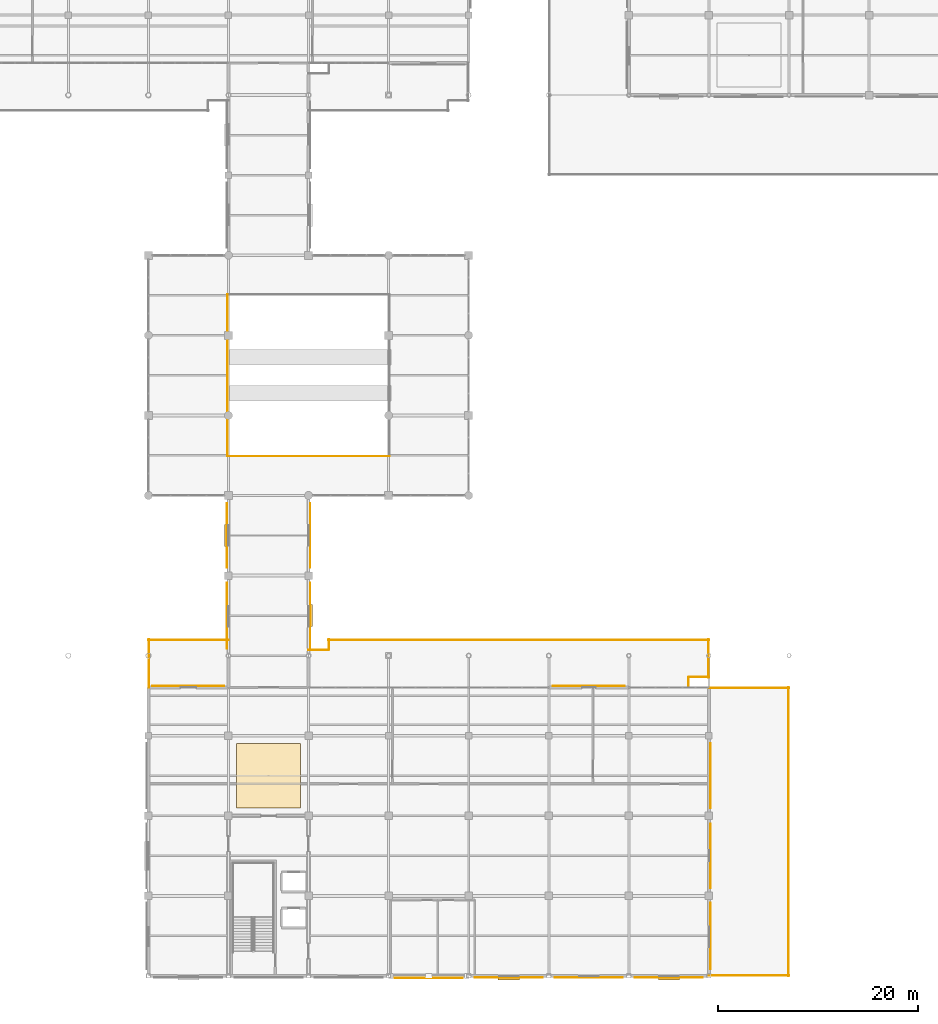
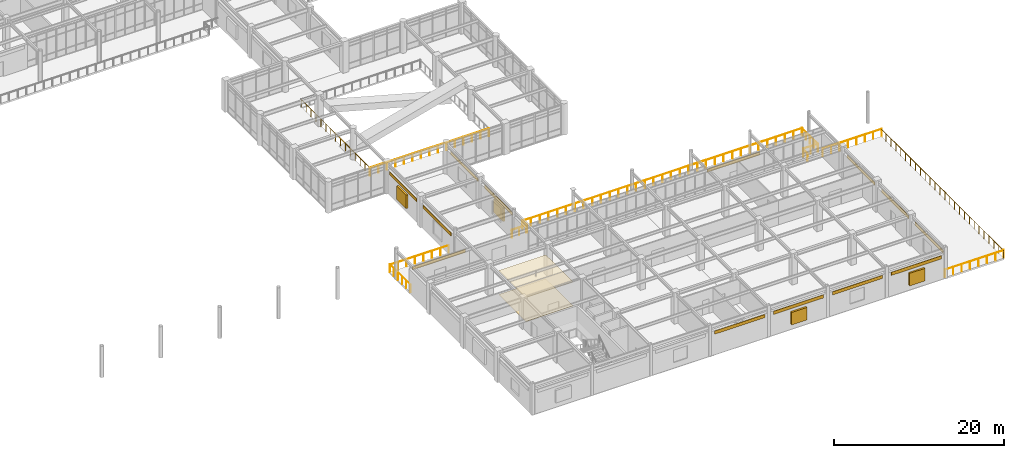
# One storey, part 67 of 75: 15 coverings, 13 railings, 4 shading devices.
"""IFC4 building model written with IfcOpenShell, lengths in metres."""

from ifc_helpers import new_model, si_unit, direction, frame, origin, origin_2d, place, context, subcontext, project, spatial, polyline, rectangle, circle, outline, extrude, material, layer, layer_set, type_object, element, save


model = new_model("IFC4")

# Units and contexts
model_context = context("Model", 3, precision=1e-05, world=origin(), true_north=direction((0.0, 1.0)))
body_context = subcontext(model_context, "Body", "Model", "MODEL_VIEW")
ifc_project = project(units=[si_unit("LENGTHUNIT", "METRE"), si_unit("AREAUNIT", "SQUARE_METRE"), si_unit("VOLUMEUNIT", "CUBIC_METRE"), si_unit("PLANEANGLEUNIT", "RADIAN"), si_unit("MASSUNIT", "GRAM", prefix="KILO")], contexts=[model_context])

# Site, building, storey
site_placement = place(None, origin())
site = spatial("IfcSite", under=ifc_project, at=site_placement, CompositionType="ELEMENT")
building_placement = place(site_placement, origin())
building = spatial("IfcBuilding", under=site, at=building_placement, Name="Solmirada Galleria", CompositionType="ELEMENT")
storey_placement = place(building_placement, frame((0.0, 0.0, 19.39990234375)))
storey = spatial("IfcBuildingStorey", under=building, at=storey_placement, Name="L04", CompositionType="ELEMENT", Elevation=19.39990234375)

# Coverings
ifc_material_1 = material(Name="Perforated acoustic mineral-fibre ceiling")
ifc_layer_1 = layer(ifc_material_1, 0.02490234375)
ifc_layer_set_1 = layer_set([ifc_layer_1], Name="Perforated acoustic mineral-fibre ceiling")
covering_type_1 = type_object("IfcCoveringType", Name="COV-CEIL-ACOUST", PredefinedType="CEILING", material=ifc_layer_set_1)
covering_1_placement = place(storey_placement, frame((0.0, 0.0, 3.4501953125)))
element("IfcCovering", 1, at=covering_1_placement, inside=storey, type_object=covering_type_1, Name="Acoustic ceiling panel L04-2", PredefinedType="CEILING", context=body_context, shape_type="SweptSolid", body=[
    extrude(outline(polyline([(88.800048828125, 16.800048828125), (95.199951171875, 16.800048828125), (95.199951171875, 23.199951171875), (88.800048828125, 23.199951171875), (88.800048828125, 16.800048828125)])), origin(), (0.0, 0.0, 1.0), 0.02490234375),
])
ifc_material_2 = material(Name="Limestone cladding panels", Category="masonry")
ifc_layer_2 = layer(ifc_material_2, 0.044921875)
ifc_layer_set_2 = layer_set([ifc_layer_2], Name="Limestone cladding panels")
covering_type_2 = type_object("IfcCoveringType", Name="COV-CLAD-LIME", PredefinedType="CLADDING", material=ifc_layer_set_2)
for number, where, z_axis, x_axis, name in (
    (2, (87.83251953125, 36.0, 2.990234375), (0.0, 0.0, 1.0), (0.0, 1.0, 0.0), "Postmodern facade cladding L04-249"),
    (3, (96.16748046875, 36.0, 2.990234375), (0.0, 0.0, 1.0), (0.0, -1.0, 0.0), "Postmodern facade cladding L04-273"),
):
    element("IfcCovering", number, at=place(storey_placement, frame(where, z_axis=z_axis, x_axis=x_axis)), inside=storey, type_object=covering_type_2, Name=name, PredefinedType="CLADDING", context=body_context, shape_type="SweptSolid", body=[
        extrude(rectangle(XDim=6.596435546875, YDim=0.044921875, at=origin_2d()), origin(), (0.0, 0.0, 1.0), 0.4599609375),
    ])
covering_2_placement = place(storey_placement, frame((136.16748046875, 20.0, 2.990234375), z_axis=(0.0, 0.0, 1.0), x_axis=(0.0, -1.0, 0.0)))
element("IfcCovering", 4, at=covering_2_placement, inside=storey, type_object=covering_type_2, Name="Postmodern facade cladding L04-275", PredefinedType="CLADDING", context=body_context, shape_type="SweptSolid", body=[
    extrude(rectangle(XDim=6.5, YDim=0.044921875, at=origin_2d()), origin(), (0.0, 0.0, 1.0), 0.4599609375),
])
covering_3_placement = place(storey_placement, frame((136.16748046875, 4.0, 2.990234375), z_axis=(0.0, 0.0, 1.0), x_axis=(0.0, -1.0, 0.0)))
element("IfcCovering", 5, at=covering_3_placement, inside=storey, type_object=covering_type_2, Name="Postmodern facade cladding L04-277", PredefinedType="CLADDING", context=body_context, shape_type="SweptSolid", body=[
    extrude(rectangle(XDim=6.6220703125, YDim=0.044921875, at=origin_2d()), origin(), (0.0, 0.0, 1.0), 0.4599609375),
])
for number, where, z_axis, x_axis, name in (
    (6, (124.0, -0.16748046875, 2.990234375), (0.0, 0.0, 1.0), (-1.0, 0.0, 0.0), "Postmodern facade cladding L04-279"),
    (7, (108.0, -0.202392578125, 2.990234375), (0.0, 0.0, 1.0), (-1.0, 0.0, 0.0), "Postmodern facade cladding L04-281"),
):
    element("IfcCovering", number, at=place(storey_placement, frame(where, z_axis=z_axis, x_axis=x_axis)), inside=storey, type_object=covering_type_2, Name=name, PredefinedType="CLADDING", context=body_context, shape_type="SweptSolid", body=[
        extrude(rectangle(XDim=6.7939453125, YDim=0.044921875, at=origin_2d()), origin(), (0.0, 0.0, 1.0), 0.4599609375),
    ])
covering_4_placement = place(storey_placement, frame((84.0, 28.967529296875, 2.990234375), z_axis=(0.0, 0.0, 1.0), x_axis=(1.0, 0.0, 0.0)))
element("IfcCovering", 8, at=covering_4_placement, inside=storey, type_object=covering_type_2, Name="Postmodern facade cladding L04-288", PredefinedType="CLADDING", context=body_context, shape_type="SweptSolid", body=[
    extrude(rectangle(XDim=7.199951171875, YDim=0.044921875, at=origin_2d()), origin(), (0.0, 0.0, 1.0), 0.4599609375),
])
ifc_material_3 = material(Name="Glazed terracotta facade panels", Category="masonry")
ifc_layer_3 = layer(ifc_material_3, 0.0400390625)
ifc_layer_set_3 = layer_set([ifc_layer_3], Name="Glazed terracotta facade panels")
covering_type_3 = type_object("IfcCoveringType", Name="COV-CLAD-TERRA", PredefinedType="CLADDING", material=ifc_layer_set_3)
for number, where, z_axis, x_axis, name in (
    (9, (87.8349609375, 44.0, 2.990234375), (0.0, 0.0, 1.0), (0.0, 1.0, 0.0), "Postmodern facade cladding L04-250"),
    (10, (96.1650390625, 44.0, 2.990234375), (0.0, 0.0, 1.0), (0.0, -1.0, 0.0), "Postmodern facade cladding L04-272"),
):
    element("IfcCovering", number, at=place(storey_placement, frame(where, z_axis=z_axis, x_axis=x_axis)), inside=storey, type_object=covering_type_3, Name=name, PredefinedType="CLADDING", context=body_context, shape_type="SweptSolid", body=[
        extrude(rectangle(XDim=6.425048828125, YDim=0.0400390625, at=origin_2d()), origin(), (0.0, 0.0, 1.0), 0.4599609375),
    ])
covering_5_placement = place(storey_placement, frame((124.0, 28.965087890625, 2.990234375), z_axis=(0.0, 0.0, 1.0), x_axis=(1.0, 0.0, 0.0)))
element("IfcCovering", 11, at=covering_5_placement, inside=storey, type_object=covering_type_3, Name="Postmodern facade cladding L04-274", PredefinedType="CLADDING", context=body_context, shape_type="SweptSolid", body=[
    extrude(rectangle(XDim=7.199951171875, YDim=0.0400390625, at=origin_2d()), origin(), (0.0, 0.0, 1.0), 0.4599609375),
])
covering_6_placement = place(storey_placement, frame((136.1650390625, 12.0, 2.990234375), z_axis=(0.0, 0.0, 1.0), x_axis=(0.0, -1.0, 0.0)))
element("IfcCovering", 12, at=covering_6_placement, inside=storey, type_object=covering_type_3, Name="Postmodern facade cladding L04-276", PredefinedType="CLADDING", context=body_context, shape_type="SweptSolid", body=[
    extrude(rectangle(XDim=6.449951171875, YDim=0.0400390625, at=origin_2d()), origin(), (0.0, 0.0, 1.0), 0.4599609375),
])
for number, where, z_axis, x_axis, name in (
    (13, (132.0, -0.1650390625, 2.990234375), (0.0, 0.0, 1.0), (-1.0, 0.0, 0.0), "Postmodern facade cladding L04-278"),
    (14, (116.0, -0.1650390625, 2.990234375), (0.0, 0.0, 1.0), (-1.0, 0.0, 0.0), "Postmodern facade cladding L04-280"),
):
    element("IfcCovering", number, at=place(storey_placement, frame(where, z_axis=z_axis, x_axis=x_axis)), inside=storey, type_object=covering_type_3, Name=name, PredefinedType="CLADDING", context=body_context, shape_type="SweptSolid", body=[
        extrude(rectangle(XDim=6.7939453125, YDim=0.0400390625, at=origin_2d()), origin(), (0.0, 0.0, 1.0), 0.4599609375),
    ])
ifc_material_4 = material(Name="Polished terrazzo and porcelain tile flooring")
ifc_layer_4 = layer(ifc_material_4, 0.030029296875)
ifc_layer_set_4 = layer_set([ifc_layer_4], Name="Polished terrazzo and porcelain tile flooring")
covering_type_4 = type_object("IfcCoveringType", Name="COV-FLOOR-TERRAZ", PredefinedType="FLOORING", material=ifc_layer_set_4)
covering_7_placement = place(storey_placement, origin())
element("IfcCovering", 15, at=covering_7_placement, inside=storey, type_object=covering_type_4, Name="Terrazzo floor finish L04-2", PredefinedType="FLOORING", context=body_context, shape_type="SweptSolid", body=[
    extrude(outline(polyline([(88.800048828125, 16.800048828125), (95.199951171875, 16.800048828125), (95.199951171875, 23.199951171875), (88.800048828125, 23.199951171875), (88.800048828125, 16.800048828125)])), origin(), (0.0, 0.0, 1.0), 0.030029296875),
])

# Railings
ifc_material_5 = material(Name="Tempered laminated glass and stainless-steel balustrade", Category="steel")
railing_type_1 = type_object("IfcRailingType", Name="RAIL-ATRIUM-BAL", PredefinedType="BALUSTRADE", material=ifc_material_5)
railing_1_placement = place(storey_placement, frame((87.919921875, 51.919921875, 0.0)))
element("IfcRailing", 16, at=railing_1_placement, inside=storey, type_object=railing_type_1, Name="Void balustrade ATRIUM L04-W1", PredefinedType="BALUSTRADE", context=body_context, shape_type="SweptSolid", body=[
    extrude(circle(Radius=0.02392578125, at=origin_2d()), frame((0.0, 0.0, 1.09619140625), z_axis=(0.0, 1.0, 0.0), x_axis=(-1.0, 0.0, 0.0)), (0.0, 0.0, 1.0), 16.16015625),
    extrude(circle(Radius=0.02099609375, at=origin_2d()), origin(), (0.0, 0.0, 1.0), 1.068115234375),
    extrude(circle(Radius=0.02099609375, at=origin_2d()), frame((0.0, 1.154296875, 0.0)), (0.0, 0.0, 1.0), 1.068115234375),
    extrude(circle(Radius=0.02099609375, at=origin_2d()), frame((0.0, 2.30859375, 0.0)), (0.0, 0.0, 1.0), 1.068115234375),
    extrude(circle(Radius=0.02099609375, at=origin_2d()), frame((0.0, 3.462890625, 0.0)), (0.0, 0.0, 1.0), 1.068115234375),
    extrude(circle(Radius=0.02099609375, at=origin_2d()), frame((0.0, 4.6171875, 0.0)), (0.0, 0.0, 1.0), 1.068115234375),
    extrude(circle(Radius=0.02099609375, at=origin_2d()), frame((0.0, 5.771484375, 0.0)), (0.0, 0.0, 1.0), 1.068115234375),
    extrude(circle(Radius=0.02099609375, at=origin_2d()), frame((0.0, 6.92578125, 0.0)), (0.0, 0.0, 1.0), 1.068115234375),
    extrude(circle(Radius=0.02099609375, at=origin_2d()), frame((0.0, 8.080078125, 0.0)), (0.0, 0.0, 1.0), 1.068115234375),
    extrude(circle(Radius=0.02099609375, at=origin_2d()), frame((0.0, 9.234375, 0.0)), (0.0, 0.0, 1.0), 1.068115234375),
    extrude(circle(Radius=0.02099609375, at=origin_2d()), frame((0.0, 10.388671875, 0.0)), (0.0, 0.0, 1.0), 1.068115234375),
    extrude(circle(Radius=0.02099609375, at=origin_2d()), frame((0.0, 11.54296875, 0.0)), (0.0, 0.0, 1.0), 1.068115234375),
    extrude(circle(Radius=0.02099609375, at=origin_2d()), frame((0.0, 12.697265625, 0.0)), (0.0, 0.0, 1.0), 1.068115234375),
    extrude(circle(Radius=0.02099609375, at=origin_2d()), frame((0.0, 13.8515625, 0.0)), (0.0, 0.0, 1.0), 1.068115234375),
    extrude(circle(Radius=0.02099609375, at=origin_2d()), frame((0.0, 15.005859375, 0.0)), (0.0, 0.0, 1.0), 1.068115234375),
    extrude(circle(Radius=0.02099609375, at=origin_2d()), frame((0.0, 16.16015625, 0.0)), (0.0, 0.0, 1.0), 1.068115234375),
])
railing_2_placement = place(storey_placement, frame((87.919921875, 51.919921875, 0.0)))
element("IfcRailing", 17, at=railing_2_placement, inside=storey, type_object=railing_type_1, Name="Void balustrade ATRIUM L04-S", PredefinedType="BALUSTRADE", context=body_context, shape_type="SweptSolid", body=[
    extrude(circle(Radius=0.02392578125, at=origin_2d()), frame((0.0, 0.0, 1.09619140625), z_axis=(1.0, 0.0, 0.0), x_axis=(0.0, 1.0, 0.0)), (0.0, 0.0, 1.0), 16.16015625),
    extrude(circle(Radius=0.02099609375, at=origin_2d()), origin(), (0.0, 0.0, 1.0), 1.068115234375),
    extrude(circle(Radius=0.02099609375, at=origin_2d()), frame((1.154296875, 0.0, 0.0)), (0.0, 0.0, 1.0), 1.068115234375),
    extrude(circle(Radius=0.02099609375, at=origin_2d()), frame((2.30859375, 0.0, 0.0)), (0.0, 0.0, 1.0), 1.068115234375),
    extrude(circle(Radius=0.02099609375, at=origin_2d()), frame((3.462890625, 0.0, 0.0)), (0.0, 0.0, 1.0), 1.068115234375),
    extrude(circle(Radius=0.02099609375, at=origin_2d()), frame((4.6171875, 0.0, 0.0)), (0.0, 0.0, 1.0), 1.068115234375),
    extrude(circle(Radius=0.02099609375, at=origin_2d()), frame((5.771484375, 0.0, 0.0)), (0.0, 0.0, 1.0), 1.068115234375),
    extrude(circle(Radius=0.02099609375, at=origin_2d()), frame((6.92578125, 0.0, 0.0)), (0.0, 0.0, 1.0), 1.068115234375),
    extrude(circle(Radius=0.02099609375, at=origin_2d()), frame((8.080078125, 0.0, 0.0)), (0.0, 0.0, 1.0), 1.068115234375),
    extrude(circle(Radius=0.02099609375, at=origin_2d()), frame((9.234375, 0.0, 0.0)), (0.0, 0.0, 1.0), 1.068115234375),
    extrude(circle(Radius=0.02099609375, at=origin_2d()), frame((10.388671875, 0.0, 0.0)), (0.0, 0.0, 1.0), 1.068115234375),
    extrude(circle(Radius=0.02099609375, at=origin_2d()), frame((11.54296875, 0.0, 0.0)), (0.0, 0.0, 1.0), 1.068115234375),
    extrude(circle(Radius=0.02099609375, at=origin_2d()), frame((12.697265625, 0.0, 0.0)), (0.0, 0.0, 1.0), 1.068115234375),
    extrude(circle(Radius=0.02099609375, at=origin_2d()), frame((13.8515625, 0.0, 0.0)), (0.0, 0.0, 1.0), 1.068115234375),
    extrude(circle(Radius=0.02099609375, at=origin_2d()), frame((15.005859375, 0.0, 0.0)), (0.0, 0.0, 1.0), 1.068115234375),
    extrude(circle(Radius=0.02099609375, at=origin_2d()), frame((16.16015625, 0.0, 0.0)), (0.0, 0.0, 1.0), 1.068115234375),
])
ifc_material_6 = material(Name="Painted galvanized steel balustrade", Category="steel")
railing_type_2 = type_object("IfcRailingType", Name="RAIL-TERR-1100", PredefinedType="GUARDRAIL", material=ifc_material_6)
railing_3_placement = place(storey_placement, frame((88.0, 33.550048828125, 0.0)))
element("IfcRailing", 18, at=railing_3_placement, inside=storey, type_object=railing_type_2, Name="Terrace guardrail L04-TERR-SW E3.1", PredefinedType="GUARDRAIL", context=body_context, shape_type="SweptSolid", body=[
    extrude(circle(Radius=0.02392578125, at=origin_2d()), frame((0.0, 0.0, 1.09619140625), z_axis=(-1.0, 0.0, 0.0), x_axis=(0.0, -1.0, 0.0)), (0.0, 0.0, 1.0), 8.0),
    extrude(circle(Radius=0.02099609375, at=origin_2d()), origin(), (0.0, 0.0, 1.0), 1.068115234375),
    extrude(circle(Radius=0.02099609375, at=origin_2d()), frame((-1.142822265625, 0.0, 0.0)), (0.0, 0.0, 1.0), 1.068115234375),
    extrude(circle(Radius=0.02099609375, at=origin_2d()), frame((-2.28564453125, 0.0, 0.0)), (0.0, 0.0, 1.0), 1.068115234375),
    extrude(circle(Radius=0.02099609375, at=origin_2d()), frame((-3.428466796875, 0.0, 0.0)), (0.0, 0.0, 1.0), 1.068115234375),
    extrude(circle(Radius=0.02099609375, at=origin_2d()), frame((-4.571533203125, 0.0, 0.0)), (0.0, 0.0, 1.0), 1.068115234375),
    extrude(circle(Radius=0.02099609375, at=origin_2d()), frame((-5.71435546875, 0.0, 0.0)), (0.0, 0.0, 1.0), 1.068115234375),
    extrude(circle(Radius=0.02099609375, at=origin_2d()), frame((-6.857177734375, 0.0, 0.0)), (0.0, 0.0, 1.0), 1.068115234375),
    extrude(circle(Radius=0.02099609375, at=origin_2d()), frame((-8.0, 0.0, 0.0)), (0.0, 0.0, 1.0), 1.068115234375),
])
railing_4_placement = place(storey_placement, frame((80.050048828125, 33.60009765625, 0.0)))
element("IfcRailing", 19, at=railing_4_placement, inside=storey, type_object=railing_type_2, Name="Terrace guardrail L04-TERR-SW E4.1", PredefinedType="GUARDRAIL", context=body_context, shape_type="SweptSolid", body=[
    extrude(circle(Radius=0.02392578125, at=origin_2d()), frame((0.0, 0.0, 1.09619140625), z_axis=(0.0, -1.0, 0.0), x_axis=(1.0, 0.0, 0.0)), (0.0, 0.0, 1.0), 4.800048828125),
    extrude(circle(Radius=0.02099609375, at=origin_2d()), origin(), (0.0, 0.0, 1.0), 1.068115234375),
    extrude(circle(Radius=0.02099609375, at=origin_2d()), frame((0.0, -0.9599609375, 0.0)), (0.0, 0.0, 1.0), 1.068115234375),
    extrude(circle(Radius=0.02099609375, at=origin_2d()), frame((0.0, -1.919921875, 0.0)), (0.0, 0.0, 1.0), 1.068115234375),
    extrude(circle(Radius=0.02099609375, at=origin_2d()), frame((0.0, -2.880126953125, 0.0)), (0.0, 0.0, 1.0), 1.068115234375),
    extrude(circle(Radius=0.02099609375, at=origin_2d()), frame((0.0, -3.840087890625, 0.0)), (0.0, 0.0, 1.0), 1.068115234375),
    extrude(circle(Radius=0.02099609375, at=origin_2d()), frame((0.0, -4.800048828125, 0.0)), (0.0, 0.0, 1.0), 1.068115234375),
])
railing_5_placement = place(storey_placement, frame((133.949951171875, 28.800048828125, 0.0)))
element("IfcRailing", 20, at=railing_5_placement, inside=storey, type_object=railing_type_2, Name="Terrace guardrail L04-TERR-SE E2.1", PredefinedType="GUARDRAIL", context=body_context, shape_type="SweptSolid", body=[
    extrude(circle(Radius=0.02392578125, at=origin_2d()), frame((0.0, 0.0, 1.09619140625), z_axis=(0.0, 1.0, 0.0), x_axis=(-1.0, 0.0, 0.0)), (0.0, 0.0, 1.0), 1.0),
    extrude(circle(Radius=0.02099609375, at=origin_2d()), origin(), (0.0, 0.0, 1.0), 1.068115234375),
    extrude(circle(Radius=0.02099609375, at=origin_2d()), frame((0.0, 1.0, 0.0)), (0.0, 0.0, 1.0), 1.068115234375),
])
railing_6_placement = place(storey_placement, frame((134.0, 29.85009765625, 0.0)))
element("IfcRailing", 21, at=railing_6_placement, inside=storey, type_object=railing_type_2, Name="Terrace guardrail L04-TERR-SE E3.1", PredefinedType="GUARDRAIL", context=body_context, shape_type="SweptSolid", body=[
    extrude(circle(Radius=0.02392578125, at=origin_2d()), frame((0.0, 0.0, 1.09619140625), z_axis=(1.0, 0.0, 0.0), x_axis=(0.0, 1.0, 0.0)), (0.0, 0.0, 1.0), 2.0),
    extrude(circle(Radius=0.02099609375, at=origin_2d()), origin(), (0.0, 0.0, 1.0), 1.068115234375),
    extrude(circle(Radius=0.02099609375, at=origin_2d()), frame((1.0, 0.0, 0.0)), (0.0, 0.0, 1.0), 1.068115234375),
    extrude(circle(Radius=0.02099609375, at=origin_2d()), frame((2.0, 0.0, 0.0)), (0.0, 0.0, 1.0), 1.068115234375),
])
railing_7_placement = place(storey_placement, frame((135.949951171875, 29.800048828125, 0.0)))
element("IfcRailing", 22, at=railing_7_placement, inside=storey, type_object=railing_type_2, Name="Terrace guardrail L04-TERR-SE E4.1", PredefinedType="GUARDRAIL", context=body_context, shape_type="SweptSolid", body=[
    extrude(circle(Radius=0.02392578125, at=origin_2d()), frame((0.0, 0.0, 1.09619140625), z_axis=(0.0, 1.0, 0.0), x_axis=(-1.0, 0.0, 0.0)), (0.0, 0.0, 1.0), 3.800048828125),
    extrude(circle(Radius=0.02099609375, at=origin_2d()), origin(), (0.0, 0.0, 1.0), 1.068115234375),
    extrude(circle(Radius=0.02099609375, at=origin_2d()), frame((0.0, 0.949951171875, 0.0)), (0.0, 0.0, 1.0), 1.068115234375),
    extrude(circle(Radius=0.02099609375, at=origin_2d()), frame((0.0, 1.89990234375, 0.0)), (0.0, 0.0, 1.0), 1.068115234375),
    extrude(circle(Radius=0.02099609375, at=origin_2d()), frame((0.0, 2.85009765625, 0.0)), (0.0, 0.0, 1.0), 1.068115234375),
    extrude(circle(Radius=0.02099609375, at=origin_2d()), frame((0.0, 3.800048828125, 0.0)), (0.0, 0.0, 1.0), 1.068115234375),
])
railing_8_placement = place(storey_placement, frame((136.0, 33.550048828125, 0.0)))
element("IfcRailing", 23, at=railing_8_placement, inside=storey, type_object=railing_type_2, Name="Terrace guardrail L04-TERR-SE E5.1", PredefinedType="GUARDRAIL", context=body_context, shape_type="SweptSolid", body=[
    extrude(circle(Radius=0.02392578125, at=origin_2d()), frame((0.0, 0.0, 1.09619140625), z_axis=(-1.0, 0.0, 0.0), x_axis=(0.0, -1.0, 0.0)), (0.0, 0.0, 1.0), 38.0),
    extrude(circle(Radius=0.02099609375, at=origin_2d()), origin(), (0.0, 0.0, 1.0), 1.068115234375),
    extrude(circle(Radius=0.02099609375, at=origin_2d()), frame((-1.1875, 0.0, 0.0)), (0.0, 0.0, 1.0), 1.068115234375),
    extrude(circle(Radius=0.02099609375, at=origin_2d()), frame((-2.375, 0.0, 0.0)), (0.0, 0.0, 1.0), 1.068115234375),
    extrude(circle(Radius=0.02099609375, at=origin_2d()), frame((-3.5625, 0.0, 0.0)), (0.0, 0.0, 1.0), 1.068115234375),
    extrude(circle(Radius=0.02099609375, at=origin_2d()), frame((-4.75, 0.0, 0.0)), (0.0, 0.0, 1.0), 1.068115234375),
    extrude(circle(Radius=0.02099609375, at=origin_2d()), frame((-5.9375, 0.0, 0.0)), (0.0, 0.0, 1.0), 1.068115234375),
    extrude(circle(Radius=0.02099609375, at=origin_2d()), frame((-7.125, 0.0, 0.0)), (0.0, 0.0, 1.0), 1.068115234375),
    extrude(circle(Radius=0.02099609375, at=origin_2d()), frame((-8.3125, 0.0, 0.0)), (0.0, 0.0, 1.0), 1.068115234375),
    extrude(circle(Radius=0.02099609375, at=origin_2d()), frame((-9.5, 0.0, 0.0)), (0.0, 0.0, 1.0), 1.068115234375),
    extrude(circle(Radius=0.02099609375, at=origin_2d()), frame((-10.6875, 0.0, 0.0)), (0.0, 0.0, 1.0), 1.068115234375),
    extrude(circle(Radius=0.02099609375, at=origin_2d()), frame((-11.875, 0.0, 0.0)), (0.0, 0.0, 1.0), 1.068115234375),
    extrude(circle(Radius=0.02099609375, at=origin_2d()), frame((-13.0625, 0.0, 0.0)), (0.0, 0.0, 1.0), 1.068115234375),
    extrude(circle(Radius=0.02099609375, at=origin_2d()), frame((-14.25, 0.0, 0.0)), (0.0, 0.0, 1.0), 1.068115234375),
    extrude(circle(Radius=0.02099609375, at=origin_2d()), frame((-15.4375, 0.0, 0.0)), (0.0, 0.0, 1.0), 1.068115234375),
    extrude(circle(Radius=0.02099609375, at=origin_2d()), frame((-16.625, 0.0, 0.0)), (0.0, 0.0, 1.0), 1.068115234375),
    extrude(circle(Radius=0.02099609375, at=origin_2d()), frame((-17.8125, 0.0, 0.0)), (0.0, 0.0, 1.0), 1.068115234375),
    extrude(circle(Radius=0.02099609375, at=origin_2d()), frame((-19.0, 0.0, 0.0)), (0.0, 0.0, 1.0), 1.068115234375),
    extrude(circle(Radius=0.02099609375, at=origin_2d()), frame((-20.1875, 0.0, 0.0)), (0.0, 0.0, 1.0), 1.068115234375),
    extrude(circle(Radius=0.02099609375, at=origin_2d()), frame((-21.375, 0.0, 0.0)), (0.0, 0.0, 1.0), 1.068115234375),
    extrude(circle(Radius=0.02099609375, at=origin_2d()), frame((-22.5625, 0.0, 0.0)), (0.0, 0.0, 1.0), 1.068115234375),
    extrude(circle(Radius=0.02099609375, at=origin_2d()), frame((-23.75, 0.0, 0.0)), (0.0, 0.0, 1.0), 1.068115234375),
    extrude(circle(Radius=0.02099609375, at=origin_2d()), frame((-24.9375, 0.0, 0.0)), (0.0, 0.0, 1.0), 1.068115234375),
    extrude(circle(Radius=0.02099609375, at=origin_2d()), frame((-26.125, 0.0, 0.0)), (0.0, 0.0, 1.0), 1.068115234375),
    extrude(circle(Radius=0.02099609375, at=origin_2d()), frame((-27.3125, 0.0, 0.0)), (0.0, 0.0, 1.0), 1.068115234375),
    extrude(circle(Radius=0.02099609375, at=origin_2d()), frame((-28.5, 0.0, 0.0)), (0.0, 0.0, 1.0), 1.068115234375),
    extrude(circle(Radius=0.02099609375, at=origin_2d()), frame((-29.6875, 0.0, 0.0)), (0.0, 0.0, 1.0), 1.068115234375),
    extrude(circle(Radius=0.02099609375, at=origin_2d()), frame((-30.875, 0.0, 0.0)), (0.0, 0.0, 1.0), 1.068115234375),
    extrude(circle(Radius=0.02099609375, at=origin_2d()), frame((-32.0625, 0.0, 0.0)), (0.0, 0.0, 1.0), 1.068115234375),
    extrude(circle(Radius=0.02099609375, at=origin_2d()), frame((-33.25, 0.0, 0.0)), (0.0, 0.0, 1.0), 1.068115234375),
    extrude(circle(Radius=0.02099609375, at=origin_2d()), frame((-34.4375, 0.0, 0.0)), (0.0, 0.0, 1.0), 1.068115234375),
    extrude(circle(Radius=0.02099609375, at=origin_2d()), frame((-35.625, 0.0, 0.0)), (0.0, 0.0, 1.0), 1.068115234375),
    extrude(circle(Radius=0.02099609375, at=origin_2d()), frame((-36.8125, 0.0, 0.0)), (0.0, 0.0, 1.0), 1.068115234375),
    extrude(circle(Radius=0.02099609375, at=origin_2d()), frame((-38.0, 0.0, 0.0)), (0.0, 0.0, 1.0), 1.068115234375),
])
railing_9_placement = place(storey_placement, frame((98.050048828125, 33.60009765625, 0.0)))
element("IfcRailing", 24, at=railing_9_placement, inside=storey, type_object=railing_type_2, Name="Terrace guardrail L04-TERR-SE E6.1", PredefinedType="GUARDRAIL", context=body_context, shape_type="SweptSolid", body=[
    extrude(circle(Radius=0.02392578125, at=origin_2d()), frame((0.0, 0.0, 1.09619140625), z_axis=(0.0, -1.0, 0.0), x_axis=(1.0, 0.0, 0.0)), (0.0, 0.0, 1.0), 1.0),
    extrude(circle(Radius=0.02099609375, at=origin_2d()), origin(), (0.0, 0.0, 1.0), 1.068115234375),
    extrude(circle(Radius=0.02099609375, at=origin_2d()), frame((0.0, -1.0, 0.0)), (0.0, 0.0, 1.0), 1.068115234375),
])
railing_10_placement = place(storey_placement, frame((98.0, 32.550048828125, 0.0)))
element("IfcRailing", 25, at=railing_10_placement, inside=storey, type_object=railing_type_2, Name="Terrace guardrail L04-TERR-SE E7.1", PredefinedType="GUARDRAIL", context=body_context, shape_type="SweptSolid", body=[
    extrude(circle(Radius=0.02392578125, at=origin_2d()), frame((0.0, 0.0, 1.09619140625), z_axis=(-1.0, 0.0, 0.0), x_axis=(0.0, -1.0, 0.0)), (0.0, 0.0, 1.0), 2.0),
    extrude(circle(Radius=0.02099609375, at=origin_2d()), origin(), (0.0, 0.0, 1.0), 1.068115234375),
    extrude(circle(Radius=0.02099609375, at=origin_2d()), frame((-1.0, 0.0, 0.0)), (0.0, 0.0, 1.0), 1.068115234375),
    extrude(circle(Radius=0.02099609375, at=origin_2d()), frame((-2.0, 0.0, 0.0)), (0.0, 0.0, 1.0), 1.068115234375),
])
railing_11_placement = place(storey_placement, frame((136.0, 0.050048828125, 0.0)))
element("IfcRailing", 26, at=railing_11_placement, inside=storey, type_object=railing_type_2, Name="Terrace guardrail L04-TERR-SE-STEP E1.1", PredefinedType="GUARDRAIL", context=body_context, shape_type="SweptSolid", body=[
    extrude(circle(Radius=0.02392578125, at=origin_2d()), frame((0.0, 0.0, 1.09619140625), z_axis=(1.0, 0.0, 0.0), x_axis=(0.0, 1.0, 0.0)), (0.0, 0.0, 1.0), 8.0),
    extrude(circle(Radius=0.02099609375, at=origin_2d()), origin(), (0.0, 0.0, 1.0), 1.068115234375),
    extrude(circle(Radius=0.02099609375, at=origin_2d()), frame((1.142822265625, 0.0, 0.0)), (0.0, 0.0, 1.0), 1.068115234375),
    extrude(circle(Radius=0.02099609375, at=origin_2d()), frame((2.28564453125, 0.0, 0.0)), (0.0, 0.0, 1.0), 1.068115234375),
    extrude(circle(Radius=0.02099609375, at=origin_2d()), frame((3.428466796875, 0.0, 0.0)), (0.0, 0.0, 1.0), 1.068115234375),
    extrude(circle(Radius=0.02099609375, at=origin_2d()), frame((4.571533203125, 0.0, 0.0)), (0.0, 0.0, 1.0), 1.068115234375),
    extrude(circle(Radius=0.02099609375, at=origin_2d()), frame((5.71435546875, 0.0, 0.0)), (0.0, 0.0, 1.0), 1.068115234375),
    extrude(circle(Radius=0.02099609375, at=origin_2d()), frame((6.857177734375, 0.0, 0.0)), (0.0, 0.0, 1.0), 1.068115234375),
    extrude(circle(Radius=0.02099609375, at=origin_2d()), frame((8.0, 0.0, 0.0)), (0.0, 0.0, 1.0), 1.068115234375),
])
railing_12_placement = place(storey_placement, frame((143.949951171875, 0.0, 0.0)))
element("IfcRailing", 27, at=railing_12_placement, inside=storey, type_object=railing_type_2, Name="Terrace guardrail L04-TERR-SE-STEP E2.1", PredefinedType="GUARDRAIL", context=body_context, shape_type="SweptSolid", body=[
    extrude(circle(Radius=0.02392578125, at=origin_2d()), frame((0.0, 0.0, 1.09619140625), z_axis=(0.0, 1.0, 0.0), x_axis=(-1.0, 0.0, 0.0)), (0.0, 0.0, 1.0), 28.800048828125),
    extrude(circle(Radius=0.02099609375, at=origin_2d()), origin(), (0.0, 0.0, 1.0), 1.068115234375),
    extrude(circle(Radius=0.02099609375, at=origin_2d()), frame((0.0, 1.152099609375, 0.0)), (0.0, 0.0, 1.0), 1.068115234375),
    extrude(circle(Radius=0.02099609375, at=origin_2d()), frame((0.0, 2.303955078125, 0.0)), (0.0, 0.0, 1.0), 1.068115234375),
    extrude(circle(Radius=0.02099609375, at=origin_2d()), frame((0.0, 3.4560546875, 0.0)), (0.0, 0.0, 1.0), 1.068115234375),
    extrude(circle(Radius=0.02099609375, at=origin_2d()), frame((0.0, 4.60791015625, 0.0)), (0.0, 0.0, 1.0), 1.068115234375),
    extrude(circle(Radius=0.02099609375, at=origin_2d()), frame((0.0, 5.760009765625, 0.0)), (0.0, 0.0, 1.0), 1.068115234375),
    extrude(circle(Radius=0.02099609375, at=origin_2d()), frame((0.0, 6.912109375, 0.0)), (0.0, 0.0, 1.0), 1.068115234375),
    extrude(circle(Radius=0.02099609375, at=origin_2d()), frame((0.0, 8.06396484375, 0.0)), (0.0, 0.0, 1.0), 1.068115234375),
    extrude(circle(Radius=0.02099609375, at=origin_2d()), frame((0.0, 9.216064453125, 0.0)), (0.0, 0.0, 1.0), 1.068115234375),
    extrude(circle(Radius=0.02099609375, at=origin_2d()), frame((0.0, 10.367919921875, 0.0)), (0.0, 0.0, 1.0), 1.068115234375),
    extrude(circle(Radius=0.02099609375, at=origin_2d()), frame((0.0, 11.52001953125, 0.0)), (0.0, 0.0, 1.0), 1.068115234375),
    extrude(circle(Radius=0.02099609375, at=origin_2d()), frame((0.0, 12.672119140625, 0.0)), (0.0, 0.0, 1.0), 1.068115234375),
    extrude(circle(Radius=0.02099609375, at=origin_2d()), frame((0.0, 13.823974609375, 0.0)), (0.0, 0.0, 1.0), 1.068115234375),
    extrude(circle(Radius=0.02099609375, at=origin_2d()), frame((0.0, 14.97607421875, 0.0)), (0.0, 0.0, 1.0), 1.068115234375),
    extrude(circle(Radius=0.02099609375, at=origin_2d()), frame((0.0, 16.1279296875, 0.0)), (0.0, 0.0, 1.0), 1.068115234375),
    extrude(circle(Radius=0.02099609375, at=origin_2d()), frame((0.0, 17.280029296875, 0.0)), (0.0, 0.0, 1.0), 1.068115234375),
    extrude(circle(Radius=0.02099609375, at=origin_2d()), frame((0.0, 18.43212890625, 0.0)), (0.0, 0.0, 1.0), 1.068115234375),
    extrude(circle(Radius=0.02099609375, at=origin_2d()), frame((0.0, 19.583984375, 0.0)), (0.0, 0.0, 1.0), 1.068115234375),
    extrude(circle(Radius=0.02099609375, at=origin_2d()), frame((0.0, 20.736083984375, 0.0)), (0.0, 0.0, 1.0), 1.068115234375),
    extrude(circle(Radius=0.02099609375, at=origin_2d()), frame((0.0, 21.887939453125, 0.0)), (0.0, 0.0, 1.0), 1.068115234375),
    extrude(circle(Radius=0.02099609375, at=origin_2d()), frame((0.0, 23.0400390625, 0.0)), (0.0, 0.0, 1.0), 1.068115234375),
    extrude(circle(Radius=0.02099609375, at=origin_2d()), frame((0.0, 24.192138671875, 0.0)), (0.0, 0.0, 1.0), 1.068115234375),
    extrude(circle(Radius=0.02099609375, at=origin_2d()), frame((0.0, 25.343994140625, 0.0)), (0.0, 0.0, 1.0), 1.068115234375),
    extrude(circle(Radius=0.02099609375, at=origin_2d()), frame((0.0, 26.49609375, 0.0)), (0.0, 0.0, 1.0), 1.068115234375),
    extrude(circle(Radius=0.02099609375, at=origin_2d()), frame((0.0, 27.64794921875, 0.0)), (0.0, 0.0, 1.0), 1.068115234375),
    extrude(circle(Radius=0.02099609375, at=origin_2d()), frame((0.0, 28.800048828125, 0.0)), (0.0, 0.0, 1.0), 1.068115234375),
])
railing_13_placement = place(storey_placement, frame((144.0, 28.75, 0.0)))
element("IfcRailing", 28, at=railing_13_placement, inside=storey, type_object=railing_type_2, Name="Terrace guardrail L04-TERR-SE-STEP E3.1", PredefinedType="GUARDRAIL", context=body_context, shape_type="SweptSolid", body=[
    extrude(circle(Radius=0.02392578125, at=origin_2d()), frame((0.0, 0.0, 1.09619140625), z_axis=(-1.0, 0.0, 0.0), x_axis=(0.0, -1.0, 0.0)), (0.0, 0.0, 1.0), 8.0),
    extrude(circle(Radius=0.02099609375, at=origin_2d()), origin(), (0.0, 0.0, 1.0), 1.068115234375),
    extrude(circle(Radius=0.02099609375, at=origin_2d()), frame((-1.142822265625, 0.0, 0.0)), (0.0, 0.0, 1.0), 1.068115234375),
    extrude(circle(Radius=0.02099609375, at=origin_2d()), frame((-2.28564453125, 0.0, 0.0)), (0.0, 0.0, 1.0), 1.068115234375),
    extrude(circle(Radius=0.02099609375, at=origin_2d()), frame((-3.428466796875, 0.0, 0.0)), (0.0, 0.0, 1.0), 1.068115234375),
    extrude(circle(Radius=0.02099609375, at=origin_2d()), frame((-4.571533203125, 0.0, 0.0)), (0.0, 0.0, 1.0), 1.068115234375),
    extrude(circle(Radius=0.02099609375, at=origin_2d()), frame((-5.71435546875, 0.0, 0.0)), (0.0, 0.0, 1.0), 1.068115234375),
    extrude(circle(Radius=0.02099609375, at=origin_2d()), frame((-6.857177734375, 0.0, 0.0)), (0.0, 0.0, 1.0), 1.068115234375),
    extrude(circle(Radius=0.02099609375, at=origin_2d()), frame((-8.0, 0.0, 0.0)), (0.0, 0.0, 1.0), 1.068115234375),
])

# Shading devices
ifc_material_7 = material(Name="Extruded aluminium storm louvres", Category="aluminium")
shading_device_type = type_object("IfcShadingDeviceType", Name="SHD-JALOUSIE", PredefinedType="JALOUSIE", material=ifc_material_7)
for number, where, z_axis, x_axis, name in (
    (29, (87.72509765625, 44.0, 0.80029296875), (0.0, 0.0, 1.0), (0.0, 1.0, 0.0), "Hurricane storm jalousie louvre 080"),
    (30, (96.27490234375, 36.0, 0.80029296875), (0.0, 0.0, 1.0), (0.0, -1.0, 0.0), "Hurricane storm jalousie louvre 084"),
):
    element("IfcShadingDevice", number, at=place(storey_placement, frame(where, z_axis=z_axis, x_axis=x_axis)), inside=storey, type_object=shading_device_type, Name=name, PredefinedType="JALOUSIE", context=body_context, shape_type="SweptSolid", body=[
        extrude(rectangle(XDim=2.2099609375, YDim=0.260009765625, at=origin_2d()), origin(), (0.0, 0.0, 1.0), 1.949951171875),
    ])
for number, where, z_axis, x_axis, name in (
    (31, (132.0, -0.27490234375, 0.80029296875), (0.0, 0.0, 1.0), (-1.0, 0.0, 0.0), "Hurricane storm jalousie louvre 085"),
    (32, (116.0, -0.27490234375, 0.80029296875), (0.0, 0.0, 1.0), (-1.0, 0.0, 0.0), "Hurricane storm jalousie louvre 086"),
):
    element("IfcShadingDevice", number, at=place(storey_placement, frame(where, z_axis=z_axis, x_axis=x_axis)), inside=storey, type_object=shading_device_type, Name=name, PredefinedType="JALOUSIE", context=body_context, shape_type="SweptSolid", body=[
        extrude(rectangle(XDim=2.110107421875, YDim=0.260009765625, at=origin_2d()), origin(), (0.0, 0.0, 1.0), 1.800048828125),
    ])

save(model, "model.ifc")
